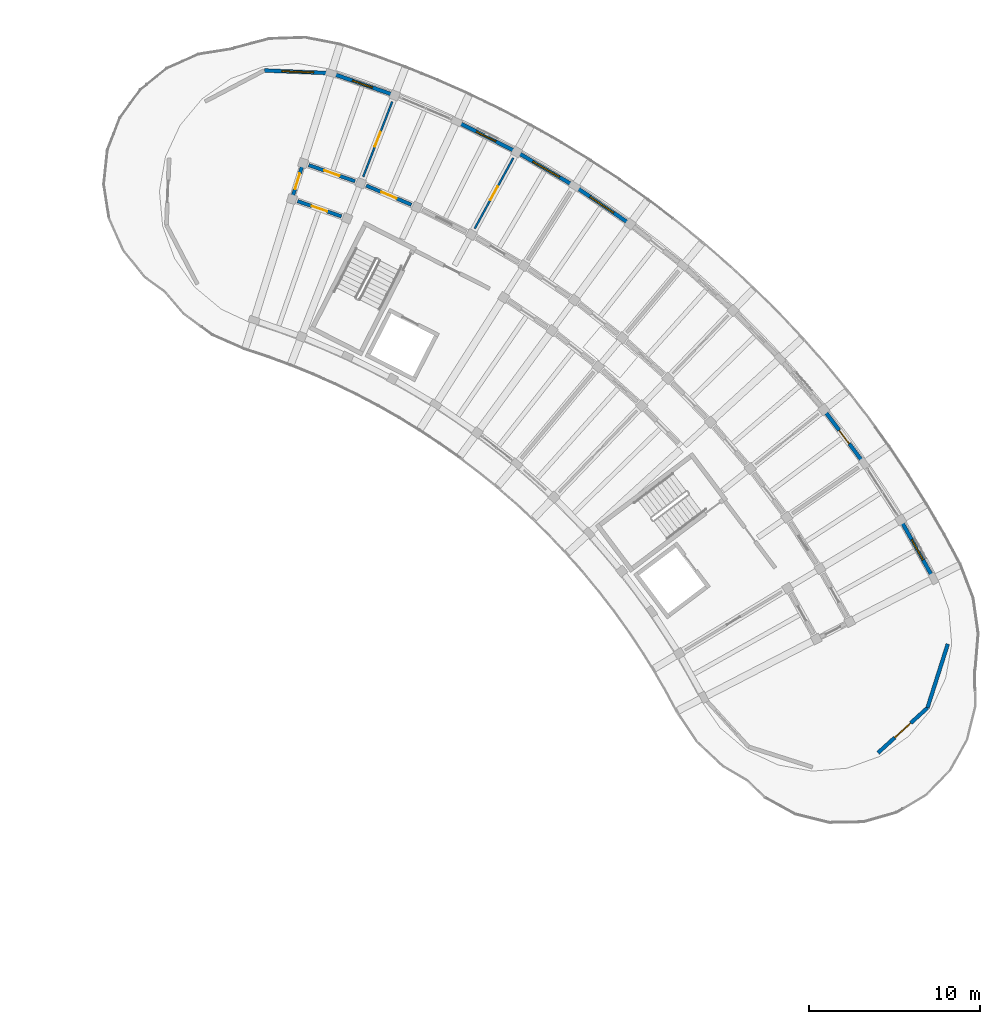
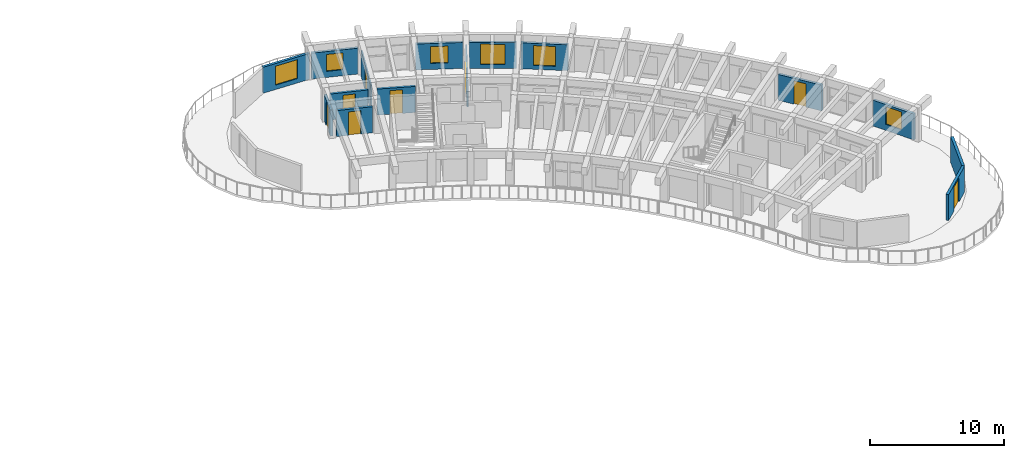
# One storey, part 25 of 36: 15 walls, 8 doors, 6 windows, 14 openings.
"""IFC4 building model written with IfcOpenShell, lengths in metres."""

import ifcopenshell
import ifcopenshell.guid

model = None  # the IFC model being written
_history = None  # IfcOwnerHistory: only IFC2X3 demands one
_inside = {}  # id of a spatial element -> (the spatial element, [elements in it])
_under = {}  # id of a project, library or spatial element -> (it, [spatial elements below it])
_declared = {}  # id of a project -> (the project, [libraries it declares])
_typed = {}  # id of a type object -> (the type object, [elements of that type])
_made_of = {}  # id of a material, layer set ... -> (it, [elements and type objects made of it])


def new_model(schema):
    """Start an empty IFC model of exactly this schema.

    Asked for "IFC4X3", IfcOpenShell would pick the latest addendum, in which some entities
    have other attributes; the version numbers below select the first issue.
    IFC2X3 requires an IfcOwnerHistory on every rooted entity: one is made here for all.
    """
    global model, _history
    if schema == "IFC4X3":
        model = ifcopenshell.file(schema_version=(4, 3, 0, 0))
    else:
        model = ifcopenshell.file(schema=schema)
    _inside.clear()
    _under.clear()
    _declared.clear()
    _typed.clear()
    _made_of.clear()
    _history = None
    if model.schema == "IFC2X3":
        org = make("IfcOrganization", Name="unknown")
        user = make(
            "IfcPersonAndOrganization",
            ThePerson=make("IfcPerson", FamilyName="unknown"),
            TheOrganization=org,
        )
        app = make(
            "IfcApplication",
            ApplicationDeveloper=org,
            Version="unknown",
            ApplicationFullName="unknown",
            ApplicationIdentifier="unknown",
        )
        _history = make(
            "IfcOwnerHistory",
            OwningUser=user,
            OwningApplication=app,
            ChangeAction="ADDED",
            CreationDate=0,
        )
    return model


def make(cls, **values):
    """One entity of the class cls with the attributes given. An attribute that is None is left unset."""
    return model.create_entity(
        cls, **{name: value for name, value in values.items() if value is not None}
    )


def rooted(cls, **values):
    """An entity with a GlobalId (a new one), such as an element, a storey or a relation."""
    return make(cls, GlobalId=ifcopenshell.guid.new(), OwnerHistory=_history, **values)


def si_unit(unit_type, name, prefix=None):
    """IfcSIUnit, for example si_unit("LENGTHUNIT", "METRE", prefix="MILLI")."""
    return make("IfcSIUnit", UnitType=unit_type, Prefix=prefix, Name=name)


def assignment(units):
    """IfcUnitAssignment: the units of a project."""
    return None if units is None else make("IfcUnitAssignment", Units=units)


def point(xyz):
    """IfcCartesianPoint."""
    return None if xyz is None else make("IfcCartesianPoint", Coordinates=xyz)


def direction(xyz):
    """IfcDirection."""
    return None if xyz is None else make("IfcDirection", DirectionRatios=xyz)


def frame(location, z_axis=None, x_axis=None):
    """IfcAxis2Placement3D, a coordinate frame: its origin and axes. An axis left out is left unset."""
    return make(
        "IfcAxis2Placement3D",
        Location=point(location),
        Axis=direction(z_axis),
        RefDirection=direction(x_axis),
    )


def frame_2d(location, x_axis=None):
    """IfcAxis2Placement2D, a coordinate frame in the plane: its origin and x axis."""
    return make(
        "IfcAxis2Placement2D", Location=point(location), RefDirection=direction(x_axis)
    )


def origin():
    """The frame at (0, 0, 0) with its axes left unset."""
    return frame((0.0, 0.0, 0.0))


def place(relative_to, where):
    """IfcLocalPlacement: puts the frame where relative to a parent placement (None: the world)."""
    return make(
        "IfcLocalPlacement", PlacementRelTo=relative_to, RelativePlacement=where
    )


def context(
    kind, dimensions, precision=None, world=None, true_north=None, identifier=None
):
    """IfcGeometricRepresentationContext, for example the 3D "Model" context."""
    return make(
        "IfcGeometricRepresentationContext",
        ContextIdentifier=identifier,
        ContextType=kind,
        CoordinateSpaceDimension=dimensions,
        Precision=precision,
        WorldCoordinateSystem=world,
        TrueNorth=true_north,
    )


def subcontext(parent, identifier, kind, view, scale=None):
    """IfcGeometricRepresentationSubContext, for example "Body" below "Model"."""
    return make(
        "IfcGeometricRepresentationSubContext",
        ContextIdentifier=identifier,
        ContextType=kind,
        ParentContext=parent,
        TargetScale=scale,
        TargetView=view,
    )


def project(units=None, contexts=None):
    """IfcProject with its units and contexts."""
    return rooted(
        "IfcProject",
        Name="project",
        RepresentationContexts=contexts,
        UnitsInContext=assignment(units),
    )


def spatial(cls, under=None, at=None, **own):
    """A site, building, storey or space (cls), placed at a placement, below another one or the project."""
    s = rooted(cls, ObjectPlacement=at, **own)
    if under is not None:
        _under.setdefault(under.id(), (under, []))[1].append(s)
    return s


def profile(cls, at=None, kind="AREA", **sizes):
    """A parametric profile (cls). Its sizes go by their IFC names, for example OverallWidth=200.0."""
    return make(cls, ProfileType=kind, Position=at, **sizes)


def rectangle(**sizes):
    """IfcRectangleProfileDef."""
    return profile("IfcRectangleProfileDef", **sizes)


def extrude(swept, where, along, depth):
    """IfcExtrudedAreaSolid: the profile swept, set in the frame where, extruded along a direction by depth."""
    return make(
        "IfcExtrudedAreaSolid",
        SweptArea=swept,
        Position=where,
        ExtrudedDirection=direction(along),
        Depth=depth,
    )


def shape(context_of_items, identifier, shape_type, items):
    """IfcShapeRepresentation: the items that make up one representation, for example the "Body"."""
    return make(
        "IfcShapeRepresentation",
        ContextOfItems=context_of_items,
        RepresentationIdentifier=identifier,
        RepresentationType=shape_type,
        Items=items,
    )


def material(Name=None, Category=None):
    """IfcMaterial."""
    return make("IfcMaterial", Name=Name, Category=Category)


def layer(
    of_material, thickness, ventilated=None, Name=None, Category=None, Priority=None
):
    """IfcMaterialLayer: one layer of a wall or slab, of a material (None: an air gap)."""
    return make(
        "IfcMaterialLayer",
        Material=of_material,
        LayerThickness=thickness,
        IsVentilated=ventilated,
        Name=Name,
        Category=Category,
        Priority=Priority,
    )


def layer_set(layers, Name=None):
    """IfcMaterialLayerSet."""
    return make("IfcMaterialLayerSet", MaterialLayers=layers, LayerSetName=Name)


def made_of(thing, what):
    """Note that an element or type object is made of a material, layer set ...; save() writes the relation."""
    if what is not None:
        _made_of.setdefault(what.id(), (what, []))[1].append(thing)
    return thing


def type_object(cls, material=None, **own):
    """A type object (cls), such as IfcWallType, which elements share."""
    return made_of(rooted(cls, **own), material)


def element(
    cls,
    number,
    at=None,
    inside=None,
    cuts=None,
    type_object=None,
    material=None,
    context=None,
    identifier="Body",
    shape_type=None,
    held_by="IfcProductDefinitionShape",
    body=None,
    shapes=None,
    **own,
):
    """One element of the class cls, such as IfcWall. Its Tag is "e" and its number.

    at: its placement. inside: the storey or other place that contains it. cuts: it is an
    opening in that element (IfcRelVoidsElement). A single representation is given by context,
    identifier, shape_type and body (its items); several are given by shapes. held_by: the class
    of the entity that holds the representations. save() writes the other relations.
    """
    e = rooted(cls, Tag="e%d" % number, ObjectPlacement=at, **own)
    if body is not None:
        shapes = [shape(context, identifier, shape_type, body)]
    if shapes is not None:
        e.Representation = make(held_by, Representations=shapes)
    if inside is not None:
        _inside.setdefault(inside.id(), (inside, []))[1].append(e)
    if cuts is not None:
        rooted(
            "IfcRelVoidsElement", RelatingBuildingElement=cuts, RelatedOpeningElement=e
        )
    if type_object is not None:
        _typed.setdefault(type_object.id(), (type_object, []))[1].append(e)
    return made_of(e, material)


def fill(opening, filler):
    """IfcRelFillsElement: the door or window that sits in an opening."""
    return rooted(
        "IfcRelFillsElement",
        RelatingOpeningElement=opening,
        RelatedBuildingElement=filler,
    )


def aggregate(whole, parts):
    """IfcRelAggregates: a whole, such as a stair, and the parts it consists of."""
    return rooted("IfcRelAggregates", RelatingObject=whole, RelatedObjects=parts)


def save(model, path):
    """Write the relations noted so far, then the file.

    IfcRelAggregates (storeys below a building ...), IfcRelContainedInSpatialStructure (elements
    in a storey), IfcRelDefinesByType, IfcRelAssociatesMaterial and IfcRelDeclares: one each for
    every whole, place, type object, material and project.
    """
    for whole, parts in _under.values():
        aggregate(whole, parts)
    for where, things in _inside.values():
        rooted(
            "IfcRelContainedInSpatialStructure",
            RelatedElements=things,
            RelatingStructure=where,
        )
    for kind, things in _typed.values():
        rooted("IfcRelDefinesByType", RelatedObjects=things, RelatingType=kind)
    for what, things in _made_of.values():
        rooted("IfcRelAssociatesMaterial", RelatedObjects=things, RelatingMaterial=what)
    for by, libraries in _declared.values():
        rooted("IfcRelDeclares", RelatingContext=by, RelatedDefinitions=libraries)
    model.write(path)


model = new_model("IFC4")

# Units and contexts
model_context = context("Model", 3, precision=1e-05, world=origin(), true_north=direction((0.0, 1.0)))
body_context = subcontext(model_context, "Body", "Model", "MODEL_VIEW")
ifc_project = project(units=[si_unit("LENGTHUNIT", "METRE"), si_unit("AREAUNIT", "SQUARE_METRE"), si_unit("VOLUMEUNIT", "CUBIC_METRE"), si_unit("PLANEANGLEUNIT", "RADIAN"), si_unit("MASSUNIT", "GRAM", prefix="KILO")], contexts=[model_context])

# Site, building, storey
site_placement = place(None, origin())
site = spatial("IfcSite", under=ifc_project, at=site_placement, CompositionType="ELEMENT")
building_placement = place(site_placement, origin())
building = spatial("IfcBuilding", under=site, at=building_placement, Name="Tanwirah Colonnade Gardens", CompositionType="ELEMENT")
storey_placement = place(building_placement, frame((0.0, 0.0, 39.080078125)))
storey = spatial("IfcBuildingStorey", under=building, at=storey_placement, Name="L11", CompositionType="ELEMENT", Elevation=39.080078125)

# Wall, opening, window
ifc_material_1 = material(Name="Limestone architectural precast concrete C40/50", Category="masonry")
ifc_layer_1 = layer(ifc_material_1, 0.219970703125)
ifc_layer_set_1 = layer_set([ifc_layer_1], Name="Limestone architectural precast concrete C40/50")
wall_type_1 = type_object("IfcWallType", Name="EW-PC220", PredefinedType="SOLIDWALL", material=ifc_layer_set_1)
wall_1_placement = place(storey_placement, frame((173.82080078125, 87.687255859375, 0.0), z_axis=(0.0, 0.0, 1.0), x_axis=(-0.48821802437, 0.872721697152, 0.0)))
wall_1 = element("IfcWall", 1, at=wall_1_placement, inside=storey, type_object=wall_type_1, Name="Block B L11 OUT Precast Facade Wall 3", PredefinedType="SOLIDWALL", context=body_context, shape_type="SweptSolid", body=[
    extrude(rectangle(XDim=3.531005859375, YDim=0.219970703125, at=frame_2d((1.765625, 0.0))), origin(), (0.0, 0.0, 1.0), 2.35498046875),
])
opening_1_placement = place(wall_1_placement, frame((1.08544921875, 0.0, 0.550048828125)))
opening_1 = element("IfcOpeningElement", 2, at=opening_1_placement, cuts=wall_1, Name="Opening WIN-U06", PredefinedType="OPENING", context=body_context, shape_type="SweptSolid", body=[
    extrude(rectangle(XDim=1.360107421875, YDim=1.610107421875, at=frame_2d((0.68017578125, 0.80517578125))), frame((0.0, 0.119873046875, 0.0), z_axis=(0.0, -1.0, 0.0), x_axis=(1.0, 0.0, 0.0)), (0.0, 0.0, 1.0), 0.239990234375),
])
ifc_material_2 = material(Name="Thermally broken bronze aluminium and solar low-E double glazing", Category="aluminium")
window_type_1 = type_object("IfcWindowType", Name="WIN-U06", PartitioningType="DOUBLE_PANEL_VERTICAL", PredefinedType="WINDOW", material=ifc_material_2)
window_1_placement = place(opening_1_placement, origin())
window_1 = element("IfcWindow", 3, at=window_1_placement, inside=storey, type_object=window_type_1, Name="Facade window B-L11-OUT-03", OverallHeight=1.610107421875, OverallWidth=1.360107421875, PartitioningType="SINGLE_PANEL", PredefinedType="WINDOW", context=body_context, shape_type="SweptSolid", body=[
    extrude(rectangle(XDim=1.360107421875, YDim=1.610107421875, at=frame_2d((0.68017578125, 0.80517578125))), frame((0.0, 0.030029296875, 0.0), z_axis=(0.0, -1.0, 0.0), x_axis=(1.0, 0.0, 0.0)), (0.0, 0.0, 1.0), 0.06005859375),
])
fill(opening_1, window_1)

# Wall, opening, door
wall_2_placement = place(storey_placement, frame((169.747802734375, 94.39404296875, 0.0), z_axis=(0.0, 0.0, 1.0), x_axis=(-0.598704717818, 0.800969825189, 0.0)))
wall_2 = element("IfcWall", 4, at=wall_2_placement, inside=storey, type_object=wall_type_1, Name="Block B L11 OUT Precast Facade Wall 5", PredefinedType="SOLIDWALL", context=body_context, shape_type="SweptSolid", body=[
    extrude(rectangle(XDim=3.530517578125, YDim=0.219970703125, at=frame_2d((1.76513671875, 0.0))), origin(), (0.0, 0.0, 1.0), 2.35498046875),
])
opening_2_placement = place(wall_2_placement, frame((1.275390625, 0.0, 0.0)))
opening_2 = element("IfcOpeningElement", 5, at=opening_2_placement, cuts=wall_2, Name="Opening L11-ED118", PredefinedType="OPENING", context=body_context, shape_type="SweptSolid", body=[
    extrude(rectangle(XDim=0.97998046875, YDim=2.1201171875, at=frame_2d((0.489990234375, 1.06005859375))), frame((0.0, 0.119873046875, 0.0), z_axis=(0.0, -1.0, 0.0), x_axis=(1.0, 0.0, 0.0)), (0.0, 0.0, 1.0), 0.239990234375),
])
ifc_material_3 = material(Name="Bronze aluminium glazed balcony door", Category="aluminium")
door_type_1 = type_object("IfcDoorType", Name="ED-BAL098", OperationType="NOTDEFINED", PredefinedType="DOOR", material=ifc_material_3)
door_1_placement = place(opening_2_placement, origin())
door_1 = element("IfcDoor", 6, at=door_1_placement, inside=storey, type_object=door_type_1, Name="Balcony glazed door L11-ED118", OperationType="SINGLE_SWING_LEFT", OverallHeight=2.1201171875, OverallWidth=0.97998046875, PredefinedType="DOOR", context=body_context, shape_type="SweptSolid", body=[
    extrude(rectangle(XDim=0.97998046875, YDim=2.1201171875, at=frame_2d((0.489990234375, 1.06005859375))), frame((0.0, 0.02490234375, 0.0), z_axis=(0.0, -1.0, 0.0), x_axis=(1.0, 0.0, 0.0)), (0.0, 0.0, 1.0), 0.050048828125),
])
fill(opening_2, door_1)

# Wall, opening, window
wall_3_placement = place(storey_placement, frame((155.999267578125, 108.37060546875, 0.0), z_axis=(0.0, 0.0, 1.0), x_axis=(-0.825785272096, 0.563984649072, 0.0)))
wall_3 = element("IfcWall", 7, at=wall_3_placement, inside=storey, type_object=wall_type_1, Name="Block B L11 OUT Precast Facade Wall 10", PredefinedType="SOLIDWALL", context=body_context, shape_type="SweptSolid", body=[
    extrude(rectangle(XDim=3.530517578125, YDim=0.219970703125, at=frame_2d((1.76513671875, 0.0))), origin(), (0.0, 0.0, 1.0), 2.35498046875),
])
opening_3_placement = place(wall_3_placement, frame((0.940185546875, 0.0, 0.35009765625)))
opening_3 = element("IfcOpeningElement", 8, at=opening_3_placement, cuts=wall_3, Name="Opening WIN-T11", PredefinedType="OPENING", context=body_context, shape_type="SweptSolid", body=[
    extrude(rectangle(XDim=1.64990234375, YDim=1.800048828125, at=frame_2d((0.824951171875, 0.89990234375))), frame((0.0, 0.119873046875, 0.0), z_axis=(0.0, -1.0, 0.0), x_axis=(1.0, 0.0, 0.0)), (0.0, 0.0, 1.0), 0.239990234375),
])
window_type_2 = type_object("IfcWindowType", Name="WIN-T11", PartitioningType="DOUBLE_PANEL_VERTICAL", PredefinedType="WINDOW", material=ifc_material_2)
window_2_placement = place(opening_3_placement, origin())
window_2 = element("IfcWindow", 9, at=window_2_placement, inside=storey, type_object=window_type_2, Name="Facade window B-L11-OUT-10", OverallHeight=1.800048828125, OverallWidth=1.64990234375, PartitioningType="SINGLE_PANEL", PredefinedType="WINDOW", context=body_context, shape_type="SweptSolid", body=[
    extrude(rectangle(XDim=1.64990234375, YDim=1.800048828125, at=frame_2d((0.824951171875, 0.89990234375))), frame((0.0, 0.030029296875, 0.0), z_axis=(0.0, -1.0, 0.0), x_axis=(1.0, 0.0, 0.0)), (0.0, 0.0, 1.0), 0.06005859375),
])
fill(opening_3, window_2)

wall_4_placement = place(storey_placement, frame((152.805419921875, 110.538818359375, 0.0), z_axis=(0.0, 0.0, 1.0), x_axis=(-0.861143946973, 0.508361193042, 0.0)))
wall_4 = element("IfcWall", 10, at=wall_4_placement, inside=storey, type_object=wall_type_1, Name="Block B L11 OUT Precast Facade Wall 11", PredefinedType="SOLIDWALL", context=body_context, shape_type="SweptSolid", body=[
    extrude(rectangle(XDim=3.53076171875, YDim=0.219970703125, at=frame_2d((1.765380859375, 0.0))), origin(), (0.0, 0.0, 1.0), 2.35498046875),
])
opening_4_placement = place(wall_4_placement, frame((0.865478515625, 0.0, 0.35009765625)))
opening_4 = element("IfcOpeningElement", 11, at=opening_4_placement, cuts=wall_4, Name="Opening WIN-T14", PredefinedType="OPENING", context=body_context, shape_type="SweptSolid", body=[
    extrude(rectangle(XDim=1.800048828125, YDim=1.85009765625, at=frame_2d((0.89990234375, 0.925048828125))), frame((0.0, 0.119873046875, 0.0), z_axis=(0.0, -1.0, 0.0), x_axis=(1.0, 0.0, 0.0)), (0.0, 0.0, 1.0), 0.239990234375),
])
window_type_3 = type_object("IfcWindowType", Name="WIN-T14", PartitioningType="TRIPLE_PANEL_VERTICAL", PredefinedType="WINDOW", material=ifc_material_2)
window_3_placement = place(opening_4_placement, origin())
window_3 = element("IfcWindow", 12, at=window_3_placement, inside=storey, type_object=window_type_3, Name="Facade window B-L11-OUT-11", OverallHeight=1.85009765625, OverallWidth=1.800048828125, PartitioningType="SINGLE_PANEL", PredefinedType="WINDOW", context=body_context, shape_type="SweptSolid", body=[
    extrude(rectangle(XDim=1.800048828125, YDim=1.85009765625, at=frame_2d((0.89990234375, 0.925048828125))), frame((0.0, 0.030029296875, 0.0), z_axis=(0.0, -1.0, 0.0), x_axis=(1.0, 0.0, 0.0)), (0.0, 0.0, 1.0), 0.06005859375),
])
fill(opening_4, window_3)

wall_5_placement = place(storey_placement, frame((149.361572265625, 112.55419921875, 0.0), z_axis=(0.0, 0.0, 1.0), x_axis=(-0.892747589921, 0.450557144755, 0.0)))
wall_5 = element("IfcWall", 13, at=wall_5_placement, inside=storey, type_object=wall_type_1, Name="Block B L11 OUT Precast Facade Wall 12", PredefinedType="SOLIDWALL", context=body_context, shape_type="SweptSolid", body=[
    extrude(rectangle(XDim=3.53076171875, YDim=0.219970703125, at=frame_2d((1.765380859375, 0.0))), origin(), (0.0, 0.0, 1.0), 2.35498046875),
])
opening_5_placement = place(wall_5_placement, frame((1.125244140625, 0.0, 0.550048828125)))
opening_5 = element("IfcOpeningElement", 14, at=opening_5_placement, cuts=wall_5, Name="Opening WIN-T17", PredefinedType="OPENING", context=body_context, shape_type="SweptSolid", body=[
    extrude(rectangle(XDim=1.280029296875, YDim=1.52001953125, at=frame_2d((0.64013671875, 0.760009765625))), frame((0.0, 0.119873046875, 0.0), z_axis=(0.0, -1.0, 0.0), x_axis=(1.0, 0.0, 0.0)), (0.0, 0.0, 1.0), 0.239990234375),
])
window_type_4 = type_object("IfcWindowType", Name="WIN-T17", PartitioningType="SINGLE_PANEL", PredefinedType="WINDOW", material=ifc_material_2)
window_4_placement = place(opening_5_placement, origin())
window_4 = element("IfcWindow", 15, at=window_4_placement, inside=storey, type_object=window_type_4, Name="Facade window B-L11-OUT-12", OverallHeight=1.52001953125, OverallWidth=1.280029296875, PartitioningType="SINGLE_PANEL", PredefinedType="WINDOW", context=body_context, shape_type="SweptSolid", body=[
    extrude(rectangle(XDim=1.280029296875, YDim=1.52001953125, at=frame_2d((0.64013671875, 0.760009765625))), frame((0.0, 0.030029296875, 0.0), z_axis=(0.0, -1.0, 0.0), x_axis=(1.0, 0.0, 0.0)), (0.0, 0.0, 1.0), 0.06005859375),
])
fill(opening_5, window_4)

wall_6_placement = place(storey_placement, frame((142.2314453125, 115.828857421875, 0.0), z_axis=(0.0, 0.0, 1.0), x_axis=(-0.944237181458, 0.329266070453, 0.0)))
wall_6 = element("IfcWall", 16, at=wall_6_placement, inside=storey, type_object=wall_type_1, Name="Block B L11 OUT Precast Facade Wall 14", PredefinedType="SOLIDWALL", context=body_context, shape_type="SweptSolid", body=[
    extrude(rectangle(XDim=3.53076171875, YDim=0.219970703125, at=frame_2d((1.765380859375, 0.0))), origin(), (0.0, 0.0, 1.0), 2.35498046875),
])
opening_6_placement = place(wall_6_placement, frame((1.145263671875, 0.0, 0.550048828125)))
opening_6 = element("IfcOpeningElement", 17, at=opening_6_placement, cuts=wall_6, Name="Opening WIN-U03", PredefinedType="OPENING", context=body_context, shape_type="SweptSolid", body=[
    extrude(rectangle(XDim=1.239990234375, YDim=1.534912109375, at=frame_2d((0.6201171875, 0.767578125))), frame((0.0, 0.119873046875, 0.0), z_axis=(0.0, -1.0, 0.0), x_axis=(1.0, 0.0, 0.0)), (0.0, 0.0, 1.0), 0.239990234375),
])
window_type_5 = type_object("IfcWindowType", Name="WIN-U03", PartitioningType="DOUBLE_PANEL_VERTICAL", PredefinedType="WINDOW", material=ifc_material_2)
window_5_placement = place(opening_6_placement, origin())
window_5 = element("IfcWindow", 18, at=window_5_placement, inside=storey, type_object=window_type_5, Name="Facade window B-L11-OUT-14", OverallHeight=1.534912109375, OverallWidth=1.239990234375, PartitioningType="SINGLE_PANEL", PredefinedType="WINDOW", context=body_context, shape_type="SweptSolid", body=[
    extrude(rectangle(XDim=1.239990234375, YDim=1.534912109375, at=frame_2d((0.6201171875, 0.767578125))), frame((0.0, 0.030029296875, 0.0), z_axis=(0.0, -1.0, 0.0), x_axis=(1.0, 0.0, 0.0)), (0.0, 0.0, 1.0), 0.06005859375),
])
fill(opening_6, window_5)

# Wall
wall_7_placement = place(storey_placement, frame((174.736083984375, 83.725341796875, 0.0), z_axis=(0.0, 0.0, 1.0), x_axis=(-0.30347438309, -0.952839597628, 0.0)))
element("IfcWall", 19, at=wall_7_placement, inside=storey, type_object=wall_type_1, Name="Block B L11 START Rounded End Wall 1", PredefinedType="SOLIDWALL", context=body_context, shape_type="SweptSolid", body=[
    extrude(rectangle(XDim=3.908203125, YDim=0.219970703125, at=frame_2d((1.9541015625, 0.0))), origin(), (0.0, 0.0, 1.0), 2.35498046875),
])

# Wall, opening, door
wall_8_placement = place(storey_placement, frame((173.550048828125, 80.00146484375, 0.0), z_axis=(0.0, 0.0, 1.0), x_axis=(-0.739261297827, -0.673418691109, 0.0)))
wall_8 = element("IfcWall", 20, at=wall_8_placement, inside=storey, type_object=wall_type_1, Name="Block B L11 START Rounded End Wall 2", PredefinedType="SOLIDWALL", context=body_context, shape_type="SweptSolid", body=[
    extrude(rectangle(XDim=3.908203125, YDim=0.219970703125, at=frame_2d((1.9541015625, 0.0))), origin(), (0.0, 0.0, 1.0), 2.35498046875),
])
opening_7_placement = place(wall_8_placement, frame((1.32421875, 0.0, 0.0)))
opening_7 = element("IfcOpeningElement", 21, at=opening_7_placement, cuts=wall_8, Name="Opening L11-ED120", PredefinedType="OPENING", context=body_context, shape_type="SweptSolid", body=[
    extrude(rectangle(XDim=1.260009765625, YDim=2.179931640625, at=frame_2d((0.6298828125, 1.08984375))), frame((0.0, 0.119873046875, 0.0), z_axis=(0.0, -1.0, 0.0), x_axis=(1.0, 0.0, 0.0)), (0.0, 0.0, 1.0), 0.239990234375),
])
ifc_material_4 = material(Name="Bronze aluminium glazed terrace door", Category="aluminium")
door_type_2 = type_object("IfcDoorType", Name="ED-TER126", OperationType="NOTDEFINED", PredefinedType="DOOR", material=ifc_material_4)
door_2_placement = place(opening_7_placement, origin())
door_2 = element("IfcDoor", 22, at=door_2_placement, inside=storey, type_object=door_type_2, Name="Stepped corner terrace door L11-ED120", OperationType="SINGLE_SWING_RIGHT", OverallHeight=2.179931640625, OverallWidth=1.260009765625, PredefinedType="DOOR", context=body_context, shape_type="SweptSolid", body=[
    extrude(rectangle(XDim=1.260009765625, YDim=2.179931640625, at=frame_2d((0.6298828125, 1.08984375))), frame((0.0, 0.02490234375, 0.0), z_axis=(0.0, -1.0, 0.0), x_axis=(1.0, 0.0, 0.0)), (0.0, 0.0, 1.0), 0.050048828125),
])
fill(opening_7, door_2)

# Wall, opening, window
wall_9_placement = place(storey_placement, frame((134.8369140625, 117.204833984375, 0.0), z_axis=(0.0, 0.0, 1.0), x_axis=(0.99917012986, -0.040731457088, 0.0)))
wall_9 = element("IfcWall", 23, at=wall_9_placement, inside=storey, type_object=wall_type_1, Name="Block B L11 END Rounded End Wall 5", PredefinedType="SOLIDWALL", context=body_context, shape_type="SweptSolid", body=[
    extrude(rectangle(XDim=3.907958984375, YDim=0.219970703125, at=frame_2d((1.9541015625, 0.0))), origin(), (0.0, 0.0, 1.0), 2.35498046875),
])
opening_8_placement = place(wall_9_placement, frame((1.029052734375, 0.0, 0.39990234375)))
opening_8 = element("IfcOpeningElement", 24, at=opening_8_placement, cuts=wall_9, Name="Opening WIN-END1", PredefinedType="OPENING", context=body_context, shape_type="SweptSolid", body=[
    extrude(rectangle(XDim=1.85009765625, YDim=1.719970703125, at=frame_2d((0.925048828125, 0.85986328125))), frame((0.0, 0.119873046875, 0.0), z_axis=(0.0, -1.0, 0.0), x_axis=(1.0, 0.0, 0.0)), (0.0, 0.0, 1.0), 0.239990234375),
])
window_type_6 = type_object("IfcWindowType", Name="WIN-END1", PartitioningType="TRIPLE_PANEL_VERTICAL", PredefinedType="WINDOW", material=ifc_material_2)
window_6_placement = place(opening_8_placement, origin())
window_6 = element("IfcWindow", 25, at=window_6_placement, inside=storey, type_object=window_type_6, Name="Rounded corner window B-L11-END-5", OverallHeight=1.719970703125, OverallWidth=1.85009765625, PartitioningType="SINGLE_PANEL", PredefinedType="WINDOW", context=body_context, shape_type="SweptSolid", body=[
    extrude(rectangle(XDim=1.85009765625, YDim=1.719970703125, at=frame_2d((0.925048828125, 0.85986328125))), frame((0.0, 0.030029296875, 0.0), z_axis=(0.0, -1.0, 0.0), x_axis=(1.0, 0.0, 0.0)), (0.0, 0.0, 1.0), 0.06005859375),
])
fill(opening_8, window_6)

# Wall, opening, door
ifc_material_5 = material(Name="Precast concrete C40/50", Category="concrete")
ifc_layer_2 = layer(ifc_material_5, 0.205078125)
ifc_layer_set_2 = layer_set([ifc_layer_2], Name="Precast concrete C40/50")
wall_type_2 = type_object("IfcWallType", Name="IW-CORR205", PredefinedType="PARTITIONING", material=ifc_layer_set_2)
wall_10_placement = place(storey_placement, frame((143.42529296875, 109.366943359375, 0.0), z_axis=(0.0, 0.0, 1.0), x_axis=(-0.920511160294, 0.390716270168, 0.0)))
wall_10 = element("IfcWall", 26, at=wall_10_placement, inside=storey, type_object=wall_type_2, Name="Block B L11 OUT Corridor Wall 13", PredefinedType="PARTITIONING", context=body_context, shape_type="SweptSolid", body=[
    extrude(rectangle(XDim=2.863037109375, YDim=0.205078125, at=frame_2d((1.431640625, 0.0))), origin(), (0.0, 0.0, 1.0), 2.369873046875),
])
opening_9_placement = place(wall_10_placement, frame((0.946533203125, 0.0, 0.0)))
opening_9 = element("IfcOpeningElement", 27, at=opening_9_placement, cuts=wall_10, Name="Opening L11-AD1246", PredefinedType="OPENING", context=body_context, shape_type="SweptSolid", body=[
    extrude(rectangle(XDim=0.969970703125, YDim=2.14990234375, at=frame_2d((0.48486328125, 1.074951171875))), frame((0.0, 0.112548828125, 0.0), z_axis=(0.0, -1.0, 0.0), x_axis=(1.0, 0.0, 0.0)), (0.0, 0.0, 1.0), 0.22509765625),
])
ifc_material_6 = material(Name="Solid oak fire-resisting apartment entrance door")
door_type_3 = type_object("IfcDoorType", Name="ID-FLT097", OperationType="NOTDEFINED", PredefinedType="DOOR", material=ifc_material_6)
door_3_placement = place(opening_9_placement, origin())
door_3 = element("IfcDoor", 28, at=door_3_placement, inside=storey, type_object=door_type_3, Name="Apartment corridor door L11-AD1246", OperationType="SINGLE_SWING_LEFT", OverallHeight=2.14990234375, OverallWidth=0.969970703125, PredefinedType="DOOR", context=body_context, shape_type="SweptSolid", body=[
    extrude(rectangle(XDim=0.969970703125, YDim=2.14990234375, at=frame_2d((0.48486328125, 1.074951171875))), frame((0.0, 0.02490234375, 0.0), z_axis=(0.0, -1.0, 0.0), x_axis=(1.0, 0.0, 0.0)), (0.0, 0.0, 1.0), 0.050048828125),
])
fill(opening_9, door_3)

wall_11_placement = place(storey_placement, frame((140.13720703125, 110.737548828125, 0.0), z_axis=(0.0, 0.0, 1.0), x_axis=(-0.944253820929, 0.329218349522, 0.0)))
wall_11 = element("IfcWall", 29, at=wall_11_placement, inside=storey, type_object=wall_type_2, Name="Block B L11 OUT Corridor Wall 14", PredefinedType="PARTITIONING", context=body_context, shape_type="SweptSolid", body=[
    extrude(rectangle(XDim=2.86328125, YDim=0.205078125, at=frame_2d((1.431640625, 0.0))), origin(), (0.0, 0.0, 1.0), 2.369873046875),
])
opening_10_placement = place(wall_11_placement, frame((0.95654296875, 0.0, 0.0)))
opening_10 = element("IfcOpeningElement", 30, at=opening_10_placement, cuts=wall_11, Name="Opening L11-AD1248", PredefinedType="OPENING", context=body_context, shape_type="SweptSolid", body=[
    extrude(rectangle(XDim=0.949951171875, YDim=2.1298828125, at=frame_2d((0.47509765625, 1.06494140625))), frame((0.0, 0.112548828125, 0.0), z_axis=(0.0, -1.0, 0.0), x_axis=(1.0, 0.0, 0.0)), (0.0, 0.0, 1.0), 0.22509765625),
])
door_type_4 = type_object("IfcDoorType", Name="ID-FLT095", OperationType="NOTDEFINED", PredefinedType="DOOR", material=ifc_material_6)
door_4_placement = place(opening_10_placement, origin())
door_4 = element("IfcDoor", 31, at=door_4_placement, inside=storey, type_object=door_type_4, Name="Apartment corridor door L11-AD1248", OperationType="SINGLE_SWING_RIGHT", OverallHeight=2.1298828125, OverallWidth=0.949951171875, PredefinedType="DOOR", context=body_context, shape_type="SweptSolid", body=[
    extrude(rectangle(XDim=0.949951171875, YDim=2.1298828125, at=frame_2d((0.47509765625, 1.06494140625))), frame((0.0, 0.02490234375, 0.0), z_axis=(0.0, -1.0, 0.0), x_axis=(1.0, 0.0, 0.0)), (0.0, 0.0, 1.0), 0.050048828125),
])
fill(opening_10, door_4)

wall_12_placement = place(storey_placement, frame((139.3447265625, 108.685302734375, 0.0), z_axis=(0.0, 0.0, 1.0), x_axis=(-0.944265123647, 0.329185929627, 0.0)))
wall_12 = element("IfcWall", 32, at=wall_12_placement, inside=storey, type_object=wall_type_2, Name="Block B L11 IN Corridor Wall 14", PredefinedType="PARTITIONING", context=body_context, shape_type="SweptSolid", body=[
    extrude(rectangle(XDim=2.71826171875, YDim=0.205078125, at=frame_2d((1.359130859375, 0.0))), origin(), (0.0, 0.0, 1.0), 2.369873046875),
])
opening_11_placement = place(wall_12_placement, frame((0.884033203125, 0.0, 0.0)))
opening_11 = element("IfcOpeningElement", 33, at=opening_11_placement, cuts=wall_12, Name="Opening L11-AD1249", PredefinedType="OPENING", context=body_context, shape_type="SweptSolid", body=[
    extrude(rectangle(XDim=0.949951171875, YDim=2.1298828125, at=frame_2d((0.47509765625, 1.06494140625))), frame((0.0, 0.112548828125, 0.0), z_axis=(0.0, -1.0, 0.0), x_axis=(1.0, 0.0, 0.0)), (0.0, 0.0, 1.0), 0.22509765625),
])
door_5_placement = place(opening_11_placement, origin())
door_5 = element("IfcDoor", 34, at=door_5_placement, inside=storey, type_object=door_type_4, Name="Apartment corridor door L11-AD1249", OperationType="SINGLE_SWING_LEFT", OverallHeight=2.1298828125, OverallWidth=0.949951171875, PredefinedType="DOOR", context=body_context, shape_type="SweptSolid", body=[
    extrude(rectangle(XDim=0.949951171875, YDim=2.1298828125, at=frame_2d((0.47509765625, 1.06494140625))), frame((0.0, 0.02490234375, 0.0), z_axis=(0.0, -1.0, 0.0), x_axis=(1.0, 0.0, 0.0)), (0.0, 0.0, 1.0), 0.050048828125),
])
fill(opening_11, door_5)

wall_13_placement = place(storey_placement, frame((136.462646484375, 109.7431640625, 0.0), z_axis=(0.0, 0.0, 1.0), x_axis=(0.297857918398, 0.954610213882, 0.0)))
wall_13 = element("IfcWall", 35, at=wall_13_placement, inside=storey, type_object=wall_type_2, Name="Block B L11 CE Corner Suite Corridor Wall", PredefinedType="PARTITIONING", context=body_context, shape_type="SweptSolid", body=[
    extrude(rectangle(XDim=2.099853515625, YDim=0.205078125, at=frame_2d((1.0498046875, 0.0))), origin(), (0.0, 0.0, 1.0), 2.369873046875),
])
opening_12_placement = place(wall_13_placement, frame((0.570068359375, 0.0, 0.0)))
opening_12 = element("IfcOpeningElement", 36, at=opening_12_placement, cuts=wall_13, Name="Opening L11-CD1251", PredefinedType="OPENING", context=body_context, shape_type="SweptSolid", body=[
    extrude(rectangle(XDim=0.949951171875, YDim=2.1298828125, at=frame_2d((0.47509765625, 1.06494140625))), frame((0.0, 0.112548828125, 0.0), z_axis=(0.0, -1.0, 0.0), x_axis=(1.0, 0.0, 0.0)), (0.0, 0.0, 1.0), 0.22509765625),
])
door_6_placement = place(opening_12_placement, origin())
door_6 = element("IfcDoor", 37, at=door_6_placement, inside=storey, type_object=door_type_4, Name="Corner suite entrance door L11-CD1251", OperationType="SINGLE_SWING_RIGHT", OverallHeight=2.1298828125, OverallWidth=0.949951171875, PredefinedType="DOOR", context=body_context, shape_type="SweptSolid", body=[
    extrude(rectangle(XDim=0.949951171875, YDim=2.1298828125, at=frame_2d((0.47509765625, 1.06494140625))), frame((0.0, 0.02490234375, 0.0), z_axis=(0.0, -1.0, 0.0), x_axis=(1.0, 0.0, 0.0)), (0.0, 0.0, 1.0), 0.050048828125),
])
fill(opening_12, door_6)

ifc_material_7 = material(Name="Acoustic gypsum stud partition")
ifc_layer_3 = layer(ifc_material_7, 0.114990234375)
ifc_layer_set_3 = layer_set([ifc_layer_3], Name="Acoustic gypsum stud partition")
wall_type_3 = type_object("IfcWallType", Name="IW-INT115", PredefinedType="PARTITIONING", material=ifc_layer_set_3)
wall_14_placement = place(storey_placement, frame((147.120361328125, 107.975830078125, 0.0), z_axis=(0.0, 0.0, 1.0), x_axis=(0.479721743761, 0.877420679357, 0.0)))
wall_14 = element("IfcWall", 38, at=wall_14_placement, inside=storey, type_object=wall_type_3, Name="Block B L11 Radial Partition 11", PredefinedType="PARTITIONING", context=body_context, shape_type="SweptSolid", body=[
    extrude(rectangle(XDim=4.699951171875, YDim=0.114990234375, at=frame_2d((2.35009765625, 0.0))), origin(), (0.0, 0.0, 1.0), 2.369873046875),
])
opening_13_placement = place(wall_14_placement, frame((1.905029296875, 0.0, 0.0)))
opening_13 = element("IfcOpeningElement", 39, at=opening_13_placement, cuts=wall_14, Name="Opening L11-RD1244", PredefinedType="OPENING", context=body_context, shape_type="SweptSolid", body=[
    extrude(rectangle(XDim=0.889892578125, YDim=2.10009765625, at=frame_2d((0.44482421875, 1.050048828125))), frame((0.0, 0.0673828125, 0.0), z_axis=(0.0, -1.0, 0.0), x_axis=(1.0, 0.0, 0.0)), (0.0, 0.0, 1.0), 0.135009765625),
])
ifc_material_8 = material(Name="Painted hardwood bedroom door", Category="wood")
door_type_5 = type_object("IfcDoorType", Name="ID-RM089", OperationType="NOTDEFINED", PredefinedType="DOOR", material=ifc_material_8)
door_7_placement = place(opening_13_placement, origin())
door_7 = element("IfcDoor", 40, at=door_7_placement, inside=storey, type_object=door_type_5, Name="Internal apartment door L11-RD1244", OperationType="SINGLE_SWING_LEFT", OverallHeight=2.10009765625, OverallWidth=0.889892578125, PredefinedType="DOOR", context=body_context, shape_type="SweptSolid", body=[
    extrude(rectangle(XDim=0.889892578125, YDim=2.10009765625, at=frame_2d((0.44482421875, 1.050048828125))), frame((0.0, 0.02490234375, 0.0), z_axis=(0.0, -1.0, 0.0), x_axis=(1.0, 0.0, 0.0)), (0.0, 0.0, 1.0), 0.050048828125),
])
fill(opening_13, door_7)

wall_15_placement = place(storey_placement, frame((140.611572265625, 110.99560546875, 0.0), z_axis=(0.0, 0.0, 1.0), x_axis=(0.360186633854, 0.932880264982, 0.0)))
wall_15 = element("IfcWall", 41, at=wall_15_placement, inside=storey, type_object=wall_type_3, Name="Block B L11 Radial Partition 13", PredefinedType="PARTITIONING", context=body_context, shape_type="SweptSolid", body=[
    extrude(rectangle(XDim=4.699951171875, YDim=0.114990234375, at=frame_2d((2.35009765625, 0.0))), origin(), (0.0, 0.0, 1.0), 2.369873046875),
])
opening_14_placement = place(wall_15_placement, frame((1.89501953125, 0.0, 0.0)))
opening_14 = element("IfcOpeningElement", 42, at=opening_14_placement, cuts=wall_15, Name="Opening L11-RD1247", PredefinedType="OPENING", context=body_context, shape_type="SweptSolid", body=[
    extrude(rectangle(XDim=0.909912109375, YDim=2.10009765625, at=frame_2d((0.455078125, 1.050048828125))), frame((0.0, 0.0673828125, 0.0), z_axis=(0.0, -1.0, 0.0), x_axis=(1.0, 0.0, 0.0)), (0.0, 0.0, 1.0), 0.135009765625),
])
ifc_material_9 = material(Name="Painted hardwood internal room door", Category="wood")
door_type_6 = type_object("IfcDoorType", Name="ID-RM091", OperationType="NOTDEFINED", PredefinedType="DOOR", material=ifc_material_9)
door_8_placement = place(opening_14_placement, origin())
door_8 = element("IfcDoor", 43, at=door_8_placement, inside=storey, type_object=door_type_6, Name="Internal apartment door L11-RD1247", OperationType="SINGLE_SWING_LEFT", OverallHeight=2.10009765625, OverallWidth=0.909912109375, PredefinedType="DOOR", context=body_context, shape_type="SweptSolid", body=[
    extrude(rectangle(XDim=0.909912109375, YDim=2.10009765625, at=frame_2d((0.455078125, 1.050048828125))), frame((0.0, 0.02490234375, 0.0), z_axis=(0.0, -1.0, 0.0), x_axis=(1.0, 0.0, 0.0)), (0.0, 0.0, 1.0), 0.050048828125),
])
fill(opening_14, door_8)

save(model, "model.ifc")
